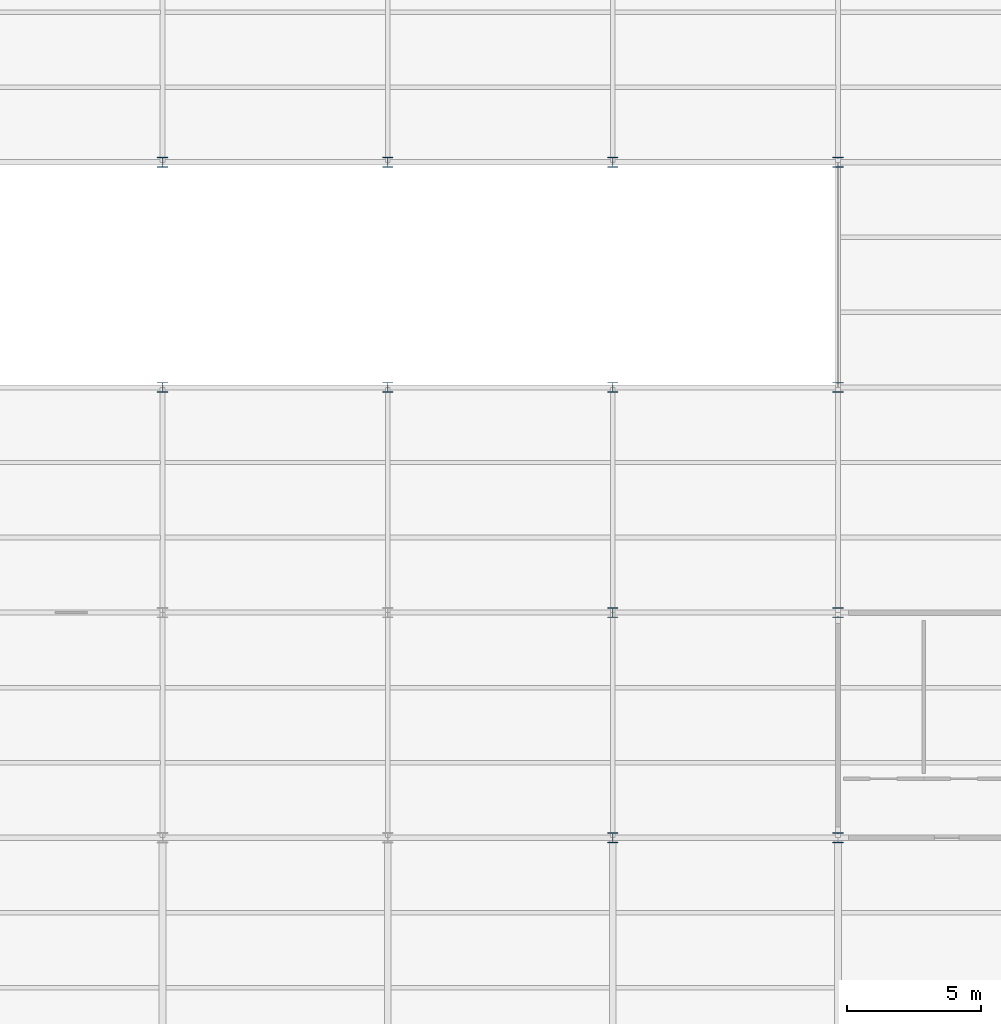
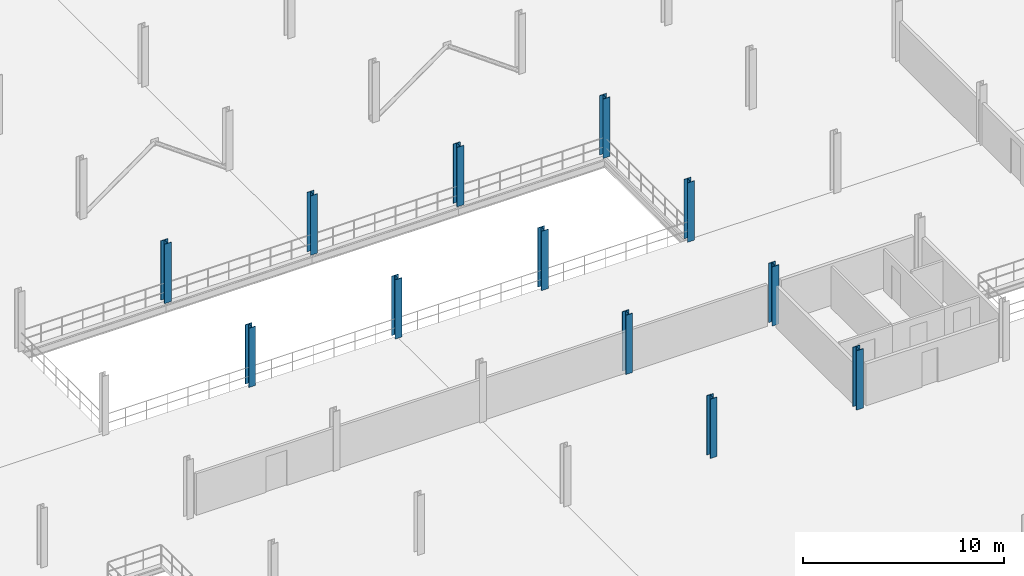
# One storey, part 4 of 101: 12 columns.
"""IFC4 building model written with IfcOpenShell, lengths in metres."""

from ifc_helpers import new_model, si_unit, direction, frame, origin, origin_2d, place, context, subcontext, project, spatial, i_section, extrude, material, material_profile, profile_set, type_object, element, save


model = new_model("IFC4")

# Units and contexts
model_context = context("Model", 3, precision=1e-05, world=origin(), true_north=direction((0.0, 1.0)))
body_context = subcontext(model_context, "Body", "Model", "MODEL_VIEW")
ifc_project = project(units=[si_unit("LENGTHUNIT", "METRE"), si_unit("AREAUNIT", "SQUARE_METRE"), si_unit("VOLUMEUNIT", "CUBIC_METRE"), si_unit("PLANEANGLEUNIT", "RADIAN"), si_unit("MASSUNIT", "GRAM", prefix="KILO"), si_unit("THERMODYNAMICTEMPERATUREUNIT", "KELVIN"), si_unit("POWERUNIT", "WATT")], contexts=[model_context])

# Site, building, storey
site_placement = place(None, origin())
site = spatial("IfcSite", under=ifc_project, at=site_placement, CompositionType="ELEMENT")
building_placement = place(site_placement, origin())
building = spatial("IfcBuilding", under=site, at=building_placement, Name="Tembeka Court Mobility Hub", CompositionType="ELEMENT")
storey_placement = place(building_placement, frame((0.0, 0.0, 5.39990234375)))
storey = spatial("IfcBuildingStorey", under=building, at=storey_placement, Name="L01", CompositionType="ELEMENT", Elevation=5.39990234375)

# Columns
ifc_material = material(Name="Steel S355", Category="steel")
ifc_material_profile = material_profile(ifc_material, i_section(OverallWidth=0.39501953125, OverallDepth=0.381103515625, WebThickness=0.018310546875, FlangeThickness=0.0302734375, FilletRadius=0.01513671875, at=origin_2d()), Name="UKC 356x406x235")
ifc_profile_set = profile_set([ifc_material_profile], Name="Steel S355")
column_type = type_object("IfcColumnType", Name="COL-C02", PredefinedType="COLUMN", material=ifc_profile_set)
for number, where, z_axis, x_axis, name in (
    (1, (33.60009765625, 55.199951171875, 0.0), (0.0, 0.0, 1.0), (1.0, 0.0, 0.0), "Column C02 (L01-052)"),
    (2, (33.60009765625, 63.60009765625, 0.0), (0.0, 0.0, 1.0), (1.0, 0.0, 0.0), "Column C02 (L01-053)"),
    (3, (42.0, 55.199951171875, 0.0), (0.0, 0.0, 1.0), (1.0, 0.0, 0.0), "Column C02 (L01-064)"),
    (4, (42.0, 63.60009765625, 0.0), (0.0, 0.0, 1.0), (1.0, 0.0, 0.0), "Column C02 (L01-065)"),
    (5, (50.39990234375, 38.39990234375, 0.0), (0.0, 0.0, 1.0), (1.0, 0.0, 0.0), "Column C02 (L01-074)"),
    (6, (50.39990234375, 46.800048828125, 0.0), (0.0, 0.0, 1.0), (1.0, 0.0, 0.0), "Column C02 (L01-075)"),
    (7, (50.39990234375, 55.199951171875, 0.0), (0.0, 0.0, 1.0), (1.0, 0.0, 0.0), "Column C02 (L01-076)"),
    (8, (50.39990234375, 63.60009765625, 0.0), (0.0, 0.0, 1.0), (1.0, 0.0, 0.0), "Column C02 (L01-077)"),
    (9, (58.800048828125, 38.39990234375, 0.0), (0.0, 0.0, 1.0), (1.0, 0.0, 0.0), "Column C02 (L01-085)"),
    (10, (58.800048828125, 46.800048828125, 0.0), (0.0, 0.0, 1.0), (1.0, 0.0, 0.0), "Column C02 (L01-086)"),
    (11, (58.800048828125, 55.199951171875, 0.0), (0.0, 0.0, 1.0), (1.0, 0.0, 0.0), "Column C02 (L01-087)"),
    (12, (58.800048828125, 63.60009765625, 0.0), (0.0, 0.0, 1.0), (1.0, 0.0, 0.0), "Column C02 (L01-088)"),
):
    element("IfcColumn", number, at=place(storey_placement, frame(where, z_axis=z_axis, x_axis=x_axis)), inside=storey, type_object=column_type, Name=name, PredefinedType="COLUMN", context=body_context, shape_type="SweptSolid", body=[
        extrude(i_section(OverallWidth=0.39501953125, OverallDepth=0.381103515625, WebThickness=0.018310546875, FlangeThickness=0.0302734375, FilletRadius=0.01513671875, at=origin_2d()), origin(), (0.0, 0.0, 1.0), 3.60009765625),
    ])

save(model, "model.ifc")
